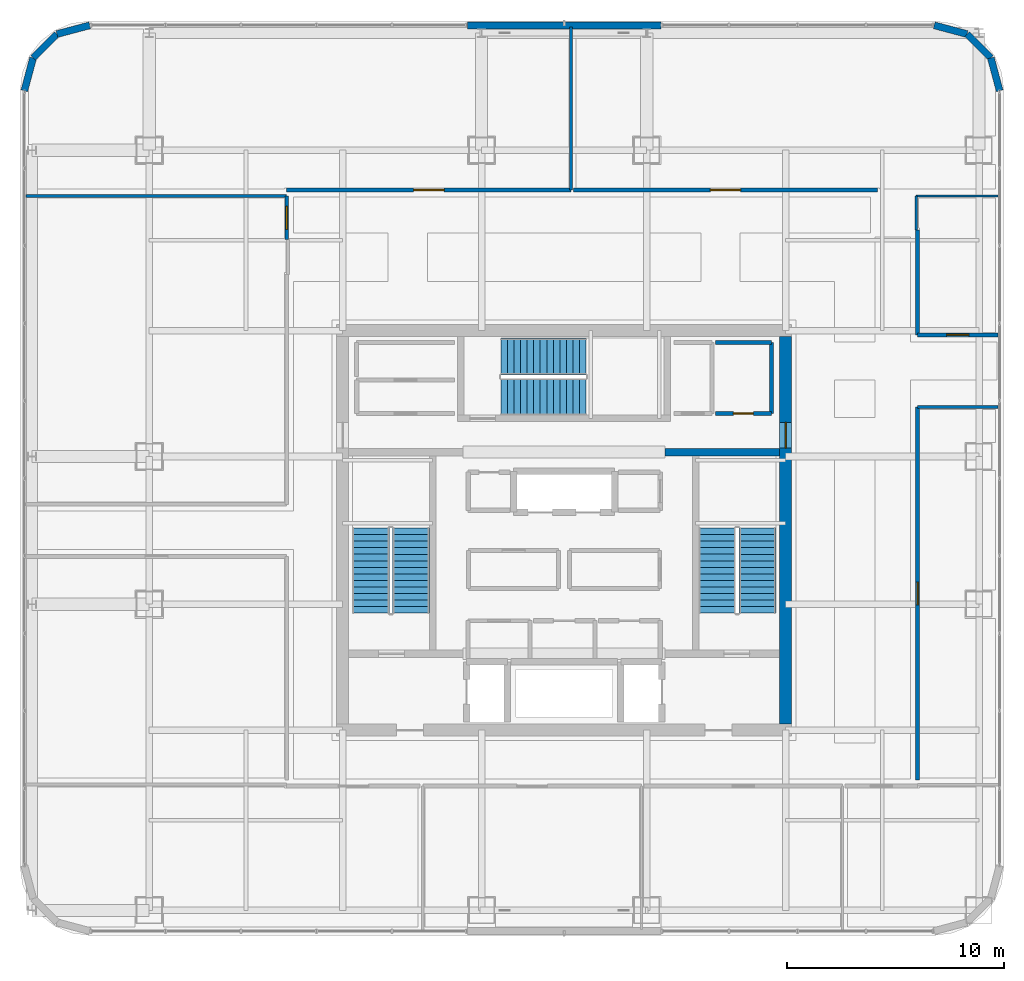
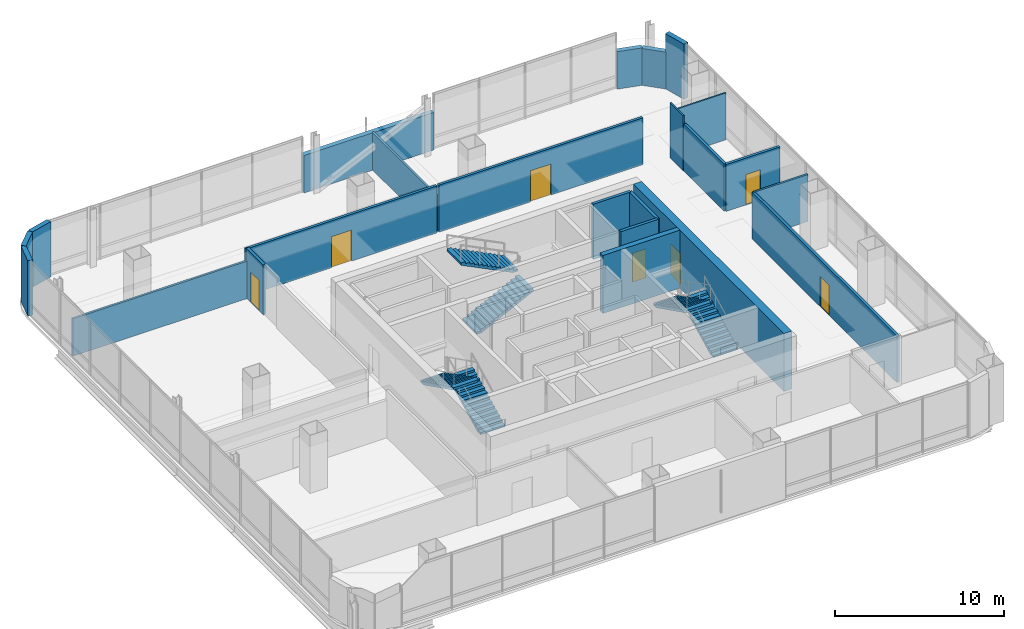
# One storey, part 34 of 43: 23 walls, 7 doors, 6 stair flights, 7 openings, 3 elements without a shape of their own.
"""IFC4 building model written with IfcOpenShell, lengths in metres."""

from ifc_helpers import new_model, si_unit, direction, frame, frame_2d, origin, place, context, subcontext, project, spatial, polyline, rectangle, outline, extrude, material, layer, layer_set, type_object, element, fill, aggregate, save


model = new_model("IFC4")

# Units and contexts
model_context = context("Model", 3, precision=1e-05, world=origin(), true_north=direction((0.0, 1.0)))
body_context = subcontext(model_context, "Body", "Model", "MODEL_VIEW")
ifc_project = project(units=[si_unit("LENGTHUNIT", "METRE"), si_unit("AREAUNIT", "SQUARE_METRE"), si_unit("VOLUMEUNIT", "CUBIC_METRE"), si_unit("PLANEANGLEUNIT", "RADIAN"), si_unit("MASSUNIT", "GRAM", prefix="KILO")], contexts=[model_context])

# Site, building, storey
site_placement = place(None, origin())
site = spatial("IfcSite", under=ifc_project, at=site_placement, CompositionType="ELEMENT")
building_placement = place(site_placement, origin())
building = spatial("IfcBuilding", under=site, at=building_placement, Name="Punatoya Terracotta Tower", CompositionType="ELEMENT")
storey_placement = place(building_placement, frame((0.0, 0.0, 300.60009765625)))
storey = spatial("IfcBuildingStorey", under=building, at=storey_placement, Name="L71", CompositionType="ELEMENT", Elevation=300.60009765625)

# Wall, opening, door
ifc_material_1 = material(Name="Concrete C50/60", Category="concrete")
ifc_layer_1 = layer(ifc_material_1, 0.550048828125)
ifc_layer_set_1 = layer_set([ifc_layer_1], Name="Concrete C50/60")
wall_type_1 = type_object("IfcWallType", Name="WL-COR-550", PredefinedType="SHEAR", material=ifc_layer_set_1)
wall_1_placement = place(storey_placement, frame((10.199951171875, 8.925048828125, 0.0), z_axis=(0.0, 0.0, 1.0), x_axis=(0.0, -1.0, 0.0)))
wall_1 = element("IfcWall", 1, at=wall_1_placement, inside=storey, type_object=wall_type_1, Name="L71 Core Shear Wall E", PredefinedType="SHEAR", context=body_context, shape_type="SweptSolid", body=[
    extrude(rectangle(XDim=17.85009765625, YDim=0.550048828125, at=frame_2d((8.925048828125, 0.0))), origin(), (0.0, 0.0, 1.0), 4.199951171875),
])
opening_1_placement = place(wall_1_placement, frame((3.955078125, 0.0, 0.0)))
opening_1 = element("IfcOpeningElement", 2, at=opening_1_placement, cuts=wall_1, Name="Opening SD-01", PredefinedType="OPENING", context=body_context, shape_type="SweptSolid", body=[
    extrude(rectangle(XDim=1.179931640625, YDim=2.199951171875, at=frame_2d((0.58984375, 1.10009765625))), frame((0.0, 0.284912109375, 0.0), z_axis=(0.0, -1.0, 0.0), x_axis=(1.0, 0.0, 0.0)), (0.0, 0.0, 1.0), 0.570068359375),
])
ifc_material_2 = material(Name="Galvanised Steel Pressurized Stair Fire Door", Category="steel")
door_type_1 = type_object("IfcDoorType", Name="DR-STR-1180", OperationType="NOTDEFINED", PredefinedType="DOOR", material=ifc_material_2)
door_1_placement = place(opening_1_placement, origin())
door_1 = element("IfcDoor", 3, at=door_1_placement, inside=storey, type_object=door_type_1, Name="L71 Central Lift Lobby East Fire Door", OperationType="SINGLE_SWING_RIGHT", OverallHeight=2.199951171875, OverallWidth=1.179931640625, PredefinedType="DOOR", context=body_context, shape_type="SweptSolid", body=[
    extrude(rectangle(XDim=1.179931640625, YDim=2.199951171875, at=frame_2d((0.58984375, 1.10009765625))), frame((0.0, 0.02490234375, 0.0), z_axis=(0.0, -1.0, 0.0), x_axis=(1.0, 0.0, 0.0)), (0.0, 0.0, 1.0), 0.050048828125),
])
fill(opening_1, door_1)

ifc_material_3 = material(Name="Gypsum Fireboard + Steel Stud", Category="steel")
ifc_layer_2 = layer(ifc_material_3, 0.179931640625)
ifc_layer_set_2 = layer_set([ifc_layer_2], Name="Gypsum Fireboard + Steel Stud")
wall_type_2 = type_object("IfcWallType", Name="WL-CORR-180", PredefinedType="PARTITIONING", material=ifc_layer_set_2)
wall_2_placement = place(storey_placement, frame((16.27001953125, -11.489990234375, 0.0), z_axis=(0.0, 0.0, 1.0), x_axis=(0.0, 1.0, 0.0)))
wall_2 = element("IfcWall", 4, at=wall_2_placement, inside=storey, type_object=wall_type_2, Name="L71 Open-Plan Delegate Reception Lounge Partition 45", PredefinedType="PARTITIONING", context=body_context, shape_type="SweptSolid", body=[
    extrude(rectangle(XDim=17.159912109375, YDim=0.179931640625, at=frame_2d((8.580078125, 0.0))), origin(), (0.0, 0.0, 1.0), 3.393798828125),
])
opening_2_placement = place(wall_2_placement, frame((8.054931640625, 0.0, 0.0)))
opening_2 = element("IfcOpeningElement", 5, at=opening_2_placement, cuts=wall_2, Name="Opening OD-01", PredefinedType="OPENING", context=body_context, shape_type="SweptSolid", body=[
    extrude(rectangle(XDim=1.050048828125, YDim=2.199951171875, at=frame_2d((0.52490234375, 1.10009765625))), frame((0.0, 0.099853515625, 0.0), z_axis=(0.0, -1.0, 0.0), x_axis=(1.0, 0.0, 0.0)), (0.0, 0.0, 1.0), 0.199951171875),
])
ifc_material_4 = material(Name="Bengal Teak Solid-Core Leaf")
door_type_2 = type_object("IfcDoorType", Name="DR-OFF-1050", OperationType="NOTDEFINED", PredefinedType="DOOR", material=ifc_material_4)
door_2_placement = place(opening_2_placement, origin())
door_2 = element("IfcDoor", 6, at=door_2_placement, inside=storey, type_object=door_type_2, Name="L71 Open-Plan Delegate Reception Lounge Door", OperationType="SINGLE_SWING_LEFT", OverallHeight=2.199951171875, OverallWidth=1.050048828125, PredefinedType="DOOR", context=body_context, shape_type="SweptSolid", body=[
    extrude(rectangle(XDim=1.050048828125, YDim=2.199951171875, at=frame_2d((0.52490234375, 1.10009765625))), frame((0.0, 0.02490234375, 0.0), z_axis=(0.0, -1.0, 0.0), x_axis=(1.0, 0.0, 0.0)), (0.0, 0.0, 1.0), 0.050048828125),
])
fill(opening_2, door_2)

wall_3_placement = place(storey_placement, frame((-12.77001953125, 15.389892578125, 0.0), z_axis=(0.0, 0.0, 1.0), x_axis=(0.0, -1.0, 0.0)))
wall_3 = element("IfcWall", 7, at=wall_3_placement, inside=storey, type_object=wall_type_2, Name="L71 Wellness Focus Room Partition 47", PredefinedType="PARTITIONING", context=body_context, shape_type="SweptSolid", body=[
    extrude(rectangle(XDim=2.010009765625, YDim=0.179931640625, at=frame_2d((1.0048828125, 0.0))), origin(), (0.0, 0.0, 1.0), 3.6337890625),
])
opening_3_placement = place(wall_3_placement, frame((0.47998046875, 0.0, 0.0)))
opening_3 = element("IfcOpeningElement", 8, at=opening_3_placement, cuts=wall_3, Name="Opening OD-01", PredefinedType="OPENING", context=body_context, shape_type="SweptSolid", body=[
    extrude(rectangle(XDim=1.050048828125, YDim=2.199951171875, at=frame_2d((0.52490234375, 1.10009765625))), frame((0.0, 0.099853515625, 0.0), z_axis=(0.0, -1.0, 0.0), x_axis=(1.0, 0.0, 0.0)), (0.0, 0.0, 1.0), 0.199951171875),
])
door_3_placement = place(opening_3_placement, origin())
door_3 = element("IfcDoor", 9, at=door_3_placement, inside=storey, type_object=door_type_2, Name="L71 Wellness Focus Room Door", OperationType="SINGLE_SWING_RIGHT", OverallHeight=2.199951171875, OverallWidth=1.050048828125, PredefinedType="DOOR", context=body_context, shape_type="SweptSolid", body=[
    extrude(rectangle(XDim=1.050048828125, YDim=2.199951171875, at=frame_2d((0.52490234375, 1.10009765625))), frame((0.0, 0.02490234375, 0.0), z_axis=(0.0, -1.0, 0.0), x_axis=(1.0, 0.0, 0.0)), (0.0, 0.0, 1.0), 0.050048828125),
])
fill(opening_3, door_3)

wall_4_placement = place(storey_placement, frame((19.969970703125, 9.0, 0.0), z_axis=(0.0, 0.0, 1.0), x_axis=(-1.0, 0.0, 0.0)))
wall_4 = element("IfcWall", 10, at=wall_4_placement, inside=storey, type_object=wall_type_2, Name="L71 Case-Study Classroom Partition 51", PredefinedType="PARTITIONING", context=body_context, shape_type="SweptSolid", body=[
    extrude(rectangle(XDim=3.699951171875, YDim=0.179931640625, at=frame_2d((1.85009765625, 0.0))), origin(), (0.0, 0.0, 1.0), 3.393798828125),
])
opening_4_placement = place(wall_4_placement, frame((1.340087890625, 0.0, 0.0)))
opening_4 = element("IfcOpeningElement", 11, at=opening_4_placement, cuts=wall_4, Name="Opening MD-01", PredefinedType="OPENING", context=body_context, shape_type="SweptSolid", body=[
    extrude(rectangle(XDim=1.02001953125, YDim=2.199951171875, at=frame_2d((0.510009765625, 1.10009765625))), frame((0.0, 0.099853515625, 0.0), z_axis=(0.0, -1.0, 0.0), x_axis=(1.0, 0.0, 0.0)), (0.0, 0.0, 1.0), 0.199951171875),
])
ifc_material_5 = material(Name="Aluminium + Acoustic Glass Leaf", Category="aluminium")
door_type_3 = type_object("IfcDoorType", Name="DR-MTG-1020", OperationType="NOTDEFINED", PredefinedType="DOOR", material=ifc_material_5)
door_4_placement = place(opening_4_placement, origin())
door_4 = element("IfcDoor", 12, at=door_4_placement, inside=storey, type_object=door_type_3, Name="L71 Case-Study Classroom Door", OperationType="SINGLE_SWING_LEFT", OverallHeight=2.199951171875, OverallWidth=1.02001953125, PredefinedType="DOOR", context=body_context, shape_type="SweptSolid", body=[
    extrude(rectangle(XDim=1.02001953125, YDim=2.199951171875, at=frame_2d((0.510009765625, 1.10009765625))), frame((0.0, 0.02490234375, 0.0), z_axis=(0.0, -1.0, 0.0), x_axis=(1.0, 0.0, 0.0)), (0.0, 0.0, 1.0), 0.050048828125),
])
fill(opening_4, door_4)

# Wall
wall_5_placement = place(storey_placement, frame((16.27001953125, 9.0, 0.0), z_axis=(0.0, 0.0, 1.0), x_axis=(0.0, 1.0, 0.0)))
element("IfcWall", 13, at=wall_5_placement, inside=storey, type_object=wall_type_2, Name="L71 Case-Study Classroom Partition 52", PredefinedType="PARTITIONING", context=body_context, shape_type="SweptSolid", body=[
    extrude(rectangle(XDim=4.820068359375, YDim=0.179931640625, at=frame_2d((2.41015625, 0.0))), origin(), (0.0, 0.0, 1.0), 3.393798828125),
])

# Wall, opening, door
wall_6_placement = place(storey_placement, frame((0.318115234375, 15.669921875, 0.0), z_axis=(0.0, 0.0, 1.0), x_axis=(-1.0, 0.0, 0.0)))
wall_6 = element("IfcWall", 14, at=wall_6_placement, inside=storey, type_object=wall_type_2, Name="L71 Symposium Colloquium Room Partition 56", PredefinedType="PARTITIONING", context=body_context, shape_type="SweptSolid", body=[
    extrude(rectangle(XDim=13.088134765625, YDim=0.179931640625, at=frame_2d((6.5439453125, 0.0))), origin(), (0.0, 0.0, 1.0), 3.393798828125),
])
opening_5_placement = place(wall_6_placement, frame((5.843994140625, 0.0, 0.0)))
opening_5 = element("IfcOpeningElement", 15, at=opening_5_placement, cuts=wall_6, Name="Opening BD-01", PredefinedType="OPENING", context=body_context, shape_type="SweptSolid", body=[
    extrude(rectangle(XDim=1.39990234375, YDim=2.25, at=frame_2d((0.699951171875, 1.125))), frame((0.0, 0.099853515625, 0.0), z_axis=(0.0, -1.0, 0.0), x_axis=(1.0, 0.0, 0.0)), (0.0, 0.0, 1.0), 0.199951171875),
])
ifc_material_6 = material(Name="Bengal Teak Acoustic Leaf")
door_type_4 = type_object("IfcDoorType", Name="DR-BRD-1400", OperationType="NOTDEFINED", PredefinedType="DOOR", material=ifc_material_6)
door_5_placement = place(opening_5_placement, origin())
door_5 = element("IfcDoor", 16, at=door_5_placement, inside=storey, type_object=door_type_4, Name="L71 Symposium Colloquium Room Door", OperationType="SINGLE_SWING_RIGHT", OverallHeight=2.25, OverallWidth=1.39990234375, PredefinedType="DOOR", context=body_context, shape_type="SweptSolid", body=[
    extrude(rectangle(XDim=1.39990234375, YDim=2.25, at=frame_2d((0.699951171875, 1.125))), frame((0.0, 0.02490234375, 0.0), z_axis=(0.0, -1.0, 0.0), x_axis=(1.0, 0.0, 0.0)), (0.0, 0.0, 1.0), 0.050048828125),
])
fill(opening_5, door_5)

wall_7_placement = place(storey_placement, frame((14.419921875, 15.669921875, 0.0), z_axis=(0.0, 0.0, 1.0), x_axis=(-1.0, 0.0, 0.0)))
wall_7 = element("IfcWall", 17, at=wall_7_placement, inside=storey, type_object=wall_type_2, Name="L71 Open-Plan Roundtable Conference Room Partition 57", PredefinedType="PARTITIONING", context=body_context, shape_type="SweptSolid", body=[
    extrude(rectangle(XDim=13.98193359375, YDim=0.179931640625, at=frame_2d((6.990966796875, 0.0))), origin(), (0.0, 0.0, 1.0), 3.393798828125),
])
opening_6_placement = place(wall_7_placement, frame((6.291015625, 0.0, 0.0)))
opening_6 = element("IfcOpeningElement", 18, at=opening_6_placement, cuts=wall_7, Name="Opening BD-01", PredefinedType="OPENING", context=body_context, shape_type="SweptSolid", body=[
    extrude(rectangle(XDim=1.39990234375, YDim=2.25, at=frame_2d((0.699951171875, 1.125))), frame((0.0, 0.099853515625, 0.0), z_axis=(0.0, -1.0, 0.0), x_axis=(1.0, 0.0, 0.0)), (0.0, 0.0, 1.0), 0.199951171875),
])
door_6_placement = place(opening_6_placement, origin())
door_6 = element("IfcDoor", 19, at=door_6_placement, inside=storey, type_object=door_type_4, Name="L71 Open-Plan Roundtable Conference Room Door", OperationType="SINGLE_SWING_LEFT", OverallHeight=2.25, OverallWidth=1.39990234375, PredefinedType="DOOR", context=body_context, shape_type="SweptSolid", body=[
    extrude(rectangle(XDim=1.39990234375, YDim=2.25, at=frame_2d((0.699951171875, 1.125))), frame((0.0, 0.02490234375, 0.0), z_axis=(0.0, -1.0, 0.0), x_axis=(1.0, 0.0, 0.0)), (0.0, 0.0, 1.0), 0.050048828125),
])
fill(opening_6, door_6)

# Walls
ifc_material_7 = material(Name="Precast concrete C40/50", Category="concrete")
ifc_layer_3 = layer(ifc_material_7, 0.320068359375)
ifc_layer_set_3 = layer_set([ifc_layer_3], Name="Precast concrete C40/50")
wall_type_3 = type_object("IfcWallType", Name="WL-EXT-320", PredefinedType="SOLIDWALL", material=ifc_layer_set_3)
wall_8_placement = place(storey_placement, frame((20.050048828125, 20.23681640625, 0.0), z_axis=(0.0, 0.0, 1.0), x_axis=(-0.257847112249, 0.966185730957, 0.0)))
element("IfcWall", 20, at=wall_8_placement, inside=storey, type_object=wall_type_3, Name="L71 Rounded Terracotta Corner Pier 06", PredefinedType="SOLIDWALL", context=body_context, shape_type="SweptSolid", body=[
    extrude(rectangle(XDim=1.565185546875, YDim=0.320068359375, at=frame_2d((0.78271484375, 0.0))), origin(), (0.0, 0.0, 1.0), 4.0),
])
wall_9_placement = place(storey_placement, frame((19.646484375, 21.7490234375, 0.0), z_axis=(0.0, 0.0, 1.0), x_axis=(-0.707028130747, 0.707185422879, 0.0)))
element("IfcWall", 21, at=wall_9_placement, inside=storey, type_object=wall_type_3, Name="L71 Rounded Terracotta Corner Pier 07", PredefinedType="SOLIDWALL", context=body_context, shape_type="SweptSolid", body=[
    extrude(rectangle(XDim=1.55224609375, YDim=0.320068359375, at=frame_2d((0.776123046875, 0.0))), origin(), (0.0, 0.0, 1.0), 2.673828125),
])
wall_10_placement = place(storey_placement, frame((18.549072265625, 22.8466796875, 0.0), z_axis=(0.0, 0.0, 1.0), x_axis=(-0.966224582397, 0.257701486942, 0.0)))
element("IfcWall", 22, at=wall_10_placement, inside=storey, type_object=wall_type_3, Name="L71 Rounded Terracotta Corner Pier 08", PredefinedType="SOLIDWALL", context=body_context, shape_type="SweptSolid", body=[
    extrude(rectangle(XDim=1.565185546875, YDim=0.320068359375, at=frame_2d((0.78271484375, 0.0))), origin(), (0.0, 0.0, 1.0), 2.7138671875),
])
wall_11_placement = place(storey_placement, frame((4.449951171875, 23.25, 0.0), z_axis=(0.0, 0.0, 1.0), x_axis=(-1.0, 0.0, 0.0)))
element("IfcWall", 23, at=wall_11_placement, inside=storey, type_object=wall_type_3, Name="L71 Terracotta Braced Facade Wall N1", PredefinedType="SOLIDWALL", context=body_context, shape_type="SweptSolid", body=[
    extrude(rectangle(XDim=8.89990234375, YDim=0.320068359375, at=frame_2d((4.449951171875, 0.0))), origin(), (0.0, 0.0, 1.0), 2.7138671875),
])
wall_12_placement = place(storey_placement, frame((-21.8369140625, 23.25, 0.0), z_axis=(0.0, 0.0, 1.0), x_axis=(-0.966224582397, -0.257701486942, 0.0)))
element("IfcWall", 24, at=wall_12_placement, inside=storey, type_object=wall_type_3, Name="L71 Rounded Terracotta Corner Pier 10", PredefinedType="SOLIDWALL", context=body_context, shape_type="SweptSolid", body=[
    extrude(rectangle(XDim=1.565185546875, YDim=0.320068359375, at=frame_2d((0.78271484375, 0.0))), origin(), (0.0, 0.0, 1.0), 4.0),
])
wall_13_placement = place(storey_placement, frame((-23.34912109375, 22.8466796875, 0.0), z_axis=(0.0, 0.0, 1.0), x_axis=(-0.707028130747, -0.707185422879, 0.0)))
element("IfcWall", 25, at=wall_13_placement, inside=storey, type_object=wall_type_3, Name="L71 Rounded Terracotta Corner Pier 11", PredefinedType="SOLIDWALL", context=body_context, shape_type="SweptSolid", body=[
    extrude(rectangle(XDim=1.55224609375, YDim=0.320068359375, at=frame_2d((0.776123046875, 0.0))), origin(), (0.0, 0.0, 1.0), 4.0),
])
wall_14_placement = place(storey_placement, frame((-24.446533203125, 21.7490234375, 0.0), z_axis=(0.0, 0.0, 1.0), x_axis=(-0.257847112249, -0.966185730957, 0.0)))
element("IfcWall", 26, at=wall_14_placement, inside=storey, type_object=wall_type_3, Name="L71 Rounded Terracotta Corner Pier 12", PredefinedType="SOLIDWALL", context=body_context, shape_type="SweptSolid", body=[
    extrude(rectangle(XDim=1.565185546875, YDim=0.320068359375, at=frame_2d((0.78271484375, 0.0))), origin(), (0.0, 0.0, 1.0), 4.0),
])
ifc_material_8 = material(Name="Aluminium Framed Acoustic Glass Partition", Category="aluminium")
ifc_layer_4 = layer(ifc_material_8, 0.10009765625)
ifc_layer_set_4 = layer_set([ifc_layer_4], Name="Aluminium Framed Acoustic Glass Partition")
wall_type_4 = type_object("IfcWallType", Name="WL-GLZ-100", PredefinedType="PARTITIONING", material=ifc_layer_set_4)
wall_15_placement = place(storey_placement, frame((16.2099609375, 13.820068359375, 0.0), z_axis=(0.0, 0.0, 1.0), x_axis=(0.0, 1.0, 0.0)))
element("IfcWall", 27, at=wall_15_placement, inside=storey, type_object=wall_type_4, Name="L71 Case-Study Classroom Partition 53", PredefinedType="PARTITIONING", context=body_context, shape_type="SweptSolid", body=[
    extrude(rectangle(XDim=1.56982421875, YDim=0.10009765625, at=frame_2d((0.784912109375, 0.0))), origin(), (0.0, 0.0, 1.0), 4.0),
])
wall_16_placement = place(storey_placement, frame((16.2099609375, 15.389892578125, 0.0), z_axis=(0.0, 0.0, 1.0), x_axis=(1.0, 0.0, 0.0)))
element("IfcWall", 28, at=wall_16_placement, inside=storey, type_object=wall_type_4, Name="L71 Case-Study Classroom Partition 54", PredefinedType="PARTITIONING", context=body_context, shape_type="SweptSolid", body=[
    extrude(rectangle(XDim=3.760009765625, YDim=0.10009765625, at=frame_2d((1.8798828125, 0.0))), origin(), (0.0, 0.0, 1.0), 3.393798828125),
])
ifc_material_9 = material(Name="Concrete C40/50", Category="concrete")
ifc_layer_5 = layer(ifc_material_9, 0.199951171875)
ifc_layer_set_5 = layer_set([ifc_layer_5], Name="Concrete C40/50")
wall_type_5 = type_object("IfcWallType", Name="WL-INT-200", PredefinedType="SOLIDWALL", material=ifc_layer_set_5)
wall_17_placement = place(storey_placement, frame((9.550048828125, 5.3798828125, 0.0), z_axis=(0.0, 0.0, 1.0), x_axis=(0.0, 1.0, 0.0)))
element("IfcWall", 29, at=wall_17_placement, inside=storey, type_object=wall_type_5, Name="L71 East Core Archive Partition 30", PredefinedType="SOLIDWALL", context=body_context, shape_type="SweptSolid", body=[
    extrude(rectangle(XDim=3.27001953125, YDim=0.199951171875, at=frame_2d((1.635009765625, 0.0))), origin(), (0.0, 0.0, 1.0), 4.0),
])
wall_18_placement = place(storey_placement, frame((9.550048828125, 8.64990234375, 0.0), z_axis=(0.0, 0.0, 1.0), x_axis=(-1.0, 0.0, 0.0)))
element("IfcWall", 30, at=wall_18_placement, inside=storey, type_object=wall_type_5, Name="L71 East Core Archive Partition 31", PredefinedType="SOLIDWALL", context=body_context, shape_type="SweptSolid", body=[
    extrude(rectangle(XDim=2.590087890625, YDim=0.199951171875, at=frame_2d((1.294921875, 0.0))), origin(), (0.0, 0.0, 1.0), 4.0),
])

# Wall, opening, door
wall_19_placement = place(storey_placement, frame((6.9599609375, 5.3798828125, 0.0), z_axis=(0.0, 0.0, 1.0), x_axis=(1.0, 0.0, 0.0)))
wall_19 = element("IfcWall", 31, at=wall_19_placement, inside=storey, type_object=wall_type_5, Name="L71 East Core Archive Partition 32", PredefinedType="SOLIDWALL", context=body_context, shape_type="SweptSolid", body=[
    extrude(rectangle(XDim=2.590087890625, YDim=0.199951171875, at=frame_2d((1.294921875, 0.0))), origin(), (0.0, 0.0, 1.0), 4.0),
])
opening_7_placement = place(wall_19_placement, frame((0.8349609375, 0.0, 0.0)))
opening_7 = element("IfcOpeningElement", 32, at=opening_7_placement, cuts=wall_19, Name="Opening FD-R1", PredefinedType="OPENING", context=body_context, shape_type="SweptSolid", body=[
    extrude(rectangle(XDim=0.919921875, YDim=2.10009765625, at=frame_2d((0.4599609375, 1.050048828125))), frame((0.0, 0.10986328125, 0.0), z_axis=(0.0, -1.0, 0.0), x_axis=(1.0, 0.0, 0.0)), (0.0, 0.0, 1.0), 0.219970703125),
])
ifc_material_10 = material(Name="Galvanised Steel Riser Fire Access Door", Category="steel")
door_type_5 = type_object("IfcDoorType", Name="DR-RSR-920", OperationType="NOTDEFINED", PredefinedType="DOOR", material=ifc_material_10)
door_7_placement = place(opening_7_placement, origin())
door_7 = element("IfcDoor", 33, at=door_7_placement, inside=storey, type_object=door_type_5, Name="L71 East Core Archive Fire Door", OperationType="SINGLE_SWING_LEFT", OverallHeight=2.10009765625, OverallWidth=0.919921875, PredefinedType="DOOR", context=body_context, shape_type="SweptSolid", body=[
    extrude(rectangle(XDim=0.919921875, YDim=2.10009765625, at=frame_2d((0.4599609375, 1.050048828125))), frame((0.0, 0.02490234375, 0.0), z_axis=(0.0, -1.0, 0.0), x_axis=(1.0, 0.0, 0.0)), (0.0, 0.0, 1.0), 0.050048828125),
])
fill(opening_7, door_7)

# Walls
ifc_material_11 = material(Name="Acoustic Gypsum + Steel Stud", Category="steel")
ifc_layer_6 = layer(ifc_material_11, 0.139892578125)
ifc_layer_set_6 = layer_set([ifc_layer_6], Name="Acoustic Gypsum + Steel Stud")
wall_type_6 = type_object("IfcWallType", Name="WL-OFF-140", PredefinedType="PARTITIONING", material=ifc_layer_set_6)
wall_20_placement = place(storey_placement, frame((16.27001953125, 5.669921875, 0.0), z_axis=(0.0, 0.0, 1.0), x_axis=(1.0, 0.0, 0.0)))
element("IfcWall", 34, at=wall_20_placement, inside=storey, type_object=wall_type_6, Name="L71 Open-Plan Delegate Reception Lounge Partition 44", PredefinedType="PARTITIONING", context=body_context, shape_type="SweptSolid", body=[
    extrude(rectangle(XDim=3.699951171875, YDim=0.139892578125, at=frame_2d((1.85009765625, 0.0))), origin(), (0.0, 0.0, 1.0), 3.393798828125),
])
wall_21_placement = place(storey_placement, frame((-24.77001953125, 15.389892578125, 0.0), z_axis=(0.0, 0.0, 1.0), x_axis=(1.0, 0.0, 0.0)))
element("IfcWall", 35, at=wall_21_placement, inside=storey, type_object=wall_type_6, Name="L71 Wellness Focus Room Partition 46", PredefinedType="PARTITIONING", context=body_context, shape_type="SweptSolid", body=[
    extrude(rectangle(XDim=12.0, YDim=0.139892578125, at=frame_2d((6.0, 0.0))), origin(), (0.0, 0.0, 1.0), 2.7138671875),
])
wall_22_placement = place(storey_placement, frame((0.318115234375, 23.169921875, 0.0), z_axis=(0.0, 0.0, 1.0), x_axis=(0.0, -1.0, 0.0)))
element("IfcWall", 36, at=wall_22_placement, inside=storey, type_object=wall_type_6, Name="L71 Symposium Colloquium Room Partition 55", PredefinedType="PARTITIONING", context=body_context, shape_type="SweptSolid", body=[
    extrude(rectangle(XDim=7.5, YDim=0.139892578125, at=frame_2d((3.75, 0.0))), origin(), (0.0, 0.0, 1.0), 2.7138671875),
])
ifc_layer_7 = layer(ifc_material_1, 0.35009765625)
ifc_layer_set_7 = layer_set([ifc_layer_7], Name="Concrete C50/60")
wall_type_7 = type_object("IfcWallType", Name="WL-SHF-350", PredefinedType="SOLIDWALL", material=ifc_layer_set_7)
wall_23_placement = place(storey_placement, frame((4.64990234375, 3.60009765625, 0.0), z_axis=(0.0, 0.0, 1.0), x_axis=(1.0, 0.0, 0.0)))
element("IfcWall", 37, at=wall_23_placement, inside=storey, type_object=wall_type_7, Name="L71 Core Web Wall CNW-R", PredefinedType="SOLIDWALL", context=body_context, shape_type="SweptSolid", body=[
    extrude(rectangle(XDim=5.275146484375, YDim=0.35009765625, at=frame_2d((2.6376953125, 0.0))), origin(), (0.0, 0.0, 1.0), 4.199951171875),
])

# Stair, stair flights
stair_type_1 = type_object("IfcStairType", Name="STR-CORE-1550", PredefinedType="HALF_TURN_STAIR", material=ifc_material_9)
stair_1_placement = place(storey_placement, origin())
stair_1 = element("IfcStair", 38, at=stair_1_placement, inside=storey, type_object=stair_type_1, Name="L71 Protected Core Exit Stair ST-1", PredefinedType="HALF_TURN_STAIR")
stair_flight_type_1 = type_object("IfcStairFlightType", Name="SFL-CORE-1550", PredefinedType="STRAIGHT", material=ifc_material_9)
stair_flight_1_placement = place(storey_placement, frame((-7.050048828125, -3.800048828125, 0.0), z_axis=(0.0, 0.0, 1.0), x_axis=(0.0, 1.0, 0.0)))
stair_flight_1 = element("IfcStairFlight", 39, at=stair_flight_1_placement, type_object=stair_flight_type_1, Name="ST-1 flight 1", NumberOfRisers=14, NumberOfTreads=13, PredefinedType="STRAIGHT", RiserHeight=0.15, TreadLength=0.3, context=body_context, shape_type="SweptSolid", body=[
    extrude(outline(polyline([(0.0, 0.0), (0.0, 0.14990234375), (0.300048828125, 0.14990234375), (0.300048828125, 0.300048828125), (0.60009765625, 0.300048828125), (0.60009765625, 0.449951171875), (0.89990234375, 0.449951171875), (0.89990234375, 0.60009765625), (1.199951171875, 0.60009765625), (1.199951171875, 0.75), (1.5, 0.75), (1.5, 0.89990234375), (1.800048828125, 0.89990234375), (1.800048828125, 1.050048828125), (2.10009765625, 1.050048828125), (2.10009765625, 1.199951171875), (2.39990234375, 1.199951171875), (2.39990234375, 1.35009765625), (2.699951171875, 1.35009765625), (2.699951171875, 1.5), (3.0, 1.5), (3.0, 1.64990234375), (3.300048828125, 1.64990234375), (3.300048828125, 1.800048828125), (3.60009765625, 1.800048828125), (3.60009765625, 1.949951171875), (3.89990234375, 1.949951171875), (3.89990234375, 2.10009765625), (3.89990234375, 1.782470703125), (0.335205078125, 0.0), (0.0, 0.0)])), frame((0.0, 0.85009765625, 0.0), z_axis=(0.0, -1.0, 0.0), x_axis=(1.0, 0.0, 0.0)), (0.0, 0.0, 1.0), 1.699951171875),
])
stair_flight_2_placement = place(storey_placement, frame((-8.89990234375, 0.10009765625, 2.099853515625), z_axis=(0.0, 0.0, 1.0), x_axis=(0.0, -1.0, 0.0)))
stair_flight_2 = element("IfcStairFlight", 40, at=stair_flight_2_placement, type_object=stair_flight_type_1, Name="ST-1 flight 2", NumberOfRisers=14, NumberOfTreads=13, PredefinedType="STRAIGHT", RiserHeight=0.15, TreadLength=0.3, context=body_context, shape_type="SweptSolid", body=[
    extrude(outline(polyline([(0.0, 0.0), (0.0, 0.14990234375), (0.300048828125, 0.14990234375), (0.300048828125, 0.300048828125), (0.60009765625, 0.300048828125), (0.60009765625, 0.449951171875), (0.89990234375, 0.449951171875), (0.89990234375, 0.60009765625), (1.199951171875, 0.60009765625), (1.199951171875, 0.75), (1.5, 0.75), (1.5, 0.89990234375), (1.800048828125, 0.89990234375), (1.800048828125, 1.050048828125), (2.10009765625, 1.050048828125), (2.10009765625, 1.199951171875), (2.39990234375, 1.199951171875), (2.39990234375, 1.35009765625), (2.699951171875, 1.35009765625), (2.699951171875, 1.5), (3.0, 1.5), (3.0, 1.64990234375), (3.300048828125, 1.64990234375), (3.300048828125, 1.800048828125), (3.60009765625, 1.800048828125), (3.60009765625, 1.949951171875), (3.89990234375, 1.949951171875), (3.89990234375, 2.10009765625), (3.89990234375, 1.782470703125), (0.335205078125, 0.0), (0.0, 0.0)])), frame((0.0, 0.85009765625, 0.0), z_axis=(0.0, -1.0, 0.0), x_axis=(1.0, 0.0, 0.0)), (0.0, 0.0, 1.0), 1.699951171875),
])
aggregate(stair_1, [stair_flight_1, stair_flight_2])

stair_type_2 = type_object("IfcStairType", Name="STR-LOB-1650", PredefinedType="HALF_TURN_STAIR", material=ifc_material_9)
stair_2_placement = place(storey_placement, origin())
stair_2 = element("IfcStair", 41, at=stair_2_placement, inside=storey, type_object=stair_type_2, Name="L71 Protected Core Exit Stair ST-2", PredefinedType="HALF_TURN_STAIR")
stair_flight_type_2 = type_object("IfcStairFlightType", Name="SFL-LOB-1650", PredefinedType="STRAIGHT", material=ifc_material_9)
stair_flight_3_placement = place(storey_placement, frame((8.89990234375, -3.800048828125, 0.0), z_axis=(0.0, 0.0, 1.0), x_axis=(0.0, 1.0, 0.0)))
stair_flight_3 = element("IfcStairFlight", 42, at=stair_flight_3_placement, type_object=stair_flight_type_2, Name="ST-2 flight 1", NumberOfRisers=14, NumberOfTreads=13, PredefinedType="STRAIGHT", RiserHeight=0.15, TreadLength=0.3, context=body_context, shape_type="SweptSolid", body=[
    extrude(outline(polyline([(0.0, 0.0), (0.0, 0.14990234375), (0.300048828125, 0.14990234375), (0.300048828125, 0.300048828125), (0.60009765625, 0.300048828125), (0.60009765625, 0.449951171875), (0.89990234375, 0.449951171875), (0.89990234375, 0.60009765625), (1.199951171875, 0.60009765625), (1.199951171875, 0.75), (1.5, 0.75), (1.5, 0.89990234375), (1.800048828125, 0.89990234375), (1.800048828125, 1.050048828125), (2.10009765625, 1.050048828125), (2.10009765625, 1.199951171875), (2.39990234375, 1.199951171875), (2.39990234375, 1.35009765625), (2.699951171875, 1.35009765625), (2.699951171875, 1.5), (3.0, 1.5), (3.0, 1.64990234375), (3.300048828125, 1.64990234375), (3.300048828125, 1.800048828125), (3.60009765625, 1.800048828125), (3.60009765625, 1.949951171875), (3.89990234375, 1.949951171875), (3.89990234375, 2.10009765625), (3.89990234375, 1.782470703125), (0.335205078125, 0.0), (0.0, 0.0)])), frame((0.0, 0.85009765625, 0.0), z_axis=(0.0, -1.0, 0.0), x_axis=(1.0, 0.0, 0.0)), (0.0, 0.0, 1.0), 1.699951171875),
])
stair_flight_4_placement = place(storey_placement, frame((7.050048828125, 0.10009765625, 2.099853515625), z_axis=(0.0, 0.0, 1.0), x_axis=(0.0, -1.0, 0.0)))
stair_flight_4 = element("IfcStairFlight", 43, at=stair_flight_4_placement, type_object=stair_flight_type_2, Name="ST-2 flight 2", NumberOfRisers=14, NumberOfTreads=13, PredefinedType="STRAIGHT", RiserHeight=0.15, TreadLength=0.3, context=body_context, shape_type="SweptSolid", body=[
    extrude(outline(polyline([(0.0, 0.0), (0.0, 0.14990234375), (0.300048828125, 0.14990234375), (0.300048828125, 0.300048828125), (0.60009765625, 0.300048828125), (0.60009765625, 0.449951171875), (0.89990234375, 0.449951171875), (0.89990234375, 0.60009765625), (1.199951171875, 0.60009765625), (1.199951171875, 0.75), (1.5, 0.75), (1.5, 0.89990234375), (1.800048828125, 0.89990234375), (1.800048828125, 1.050048828125), (2.10009765625, 1.050048828125), (2.10009765625, 1.199951171875), (2.39990234375, 1.199951171875), (2.39990234375, 1.35009765625), (2.699951171875, 1.35009765625), (2.699951171875, 1.5), (3.0, 1.5), (3.0, 1.64990234375), (3.300048828125, 1.64990234375), (3.300048828125, 1.800048828125), (3.60009765625, 1.800048828125), (3.60009765625, 1.949951171875), (3.89990234375, 1.949951171875), (3.89990234375, 2.10009765625), (3.89990234375, 1.782470703125), (0.335205078125, 0.0), (0.0, 0.0)])), frame((0.0, 0.85009765625, 0.0), z_axis=(0.0, -1.0, 0.0), x_axis=(1.0, 0.0, 0.0)), (0.0, 0.0, 1.0), 1.699951171875),
])
aggregate(stair_2, [stair_flight_3, stair_flight_4])

stair_type_3 = type_object("IfcStairType", Name="STR-TER-1450", PredefinedType="HALF_TURN_STAIR", material=ifc_material_9)
stair_3_placement = place(storey_placement, origin())
stair_3 = element("IfcStair", 44, at=stair_3_placement, inside=storey, type_object=stair_type_3, Name="L71 Protected Core Exit Stair ST-3", PredefinedType="HALF_TURN_STAIR")
stair_flight_type_3 = type_object("IfcStairFlightType", Name="SFL-TER-1450", PredefinedType="STRAIGHT", material=ifc_material_9)
stair_flight_5_placement = place(storey_placement, frame((-2.89990234375, 6.14990234375, 0.0), z_axis=(0.0, 0.0, 1.0), x_axis=(1.0, 0.0, 0.0)))
stair_flight_5 = element("IfcStairFlight", 45, at=stair_flight_5_placement, type_object=stair_flight_type_3, Name="ST-3 flight 1", NumberOfRisers=14, NumberOfTreads=13, PredefinedType="STRAIGHT", RiserHeight=0.15, TreadLength=0.3, context=body_context, shape_type="SweptSolid", body=[
    extrude(outline(polyline([(0.0, 0.0), (0.0, 0.14990234375), (0.300048828125, 0.14990234375), (0.300048828125, 0.300048828125), (0.60009765625, 0.300048828125), (0.60009765625, 0.449951171875), (0.89990234375, 0.449951171875), (0.89990234375, 0.60009765625), (1.199951171875, 0.60009765625), (1.199951171875, 0.75), (1.5, 0.75), (1.5, 0.89990234375), (1.800048828125, 0.89990234375), (1.800048828125, 1.050048828125), (2.10009765625, 1.050048828125), (2.10009765625, 1.199951171875), (2.39990234375, 1.199951171875), (2.39990234375, 1.35009765625), (2.699951171875, 1.35009765625), (2.699951171875, 1.5), (3.0, 1.5), (3.0, 1.64990234375), (3.300048828125, 1.64990234375), (3.300048828125, 1.800048828125), (3.60009765625, 1.800048828125), (3.60009765625, 1.949951171875), (3.89990234375, 1.949951171875), (3.89990234375, 2.10009765625), (3.89990234375, 1.782470703125), (0.335205078125, 0.0), (0.0, 0.0)])), frame((0.0, 0.85009765625, 0.0), z_axis=(0.0, -1.0, 0.0), x_axis=(1.0, 0.0, 0.0)), (0.0, 0.0, 1.0), 1.699951171875),
])
stair_flight_6_placement = place(storey_placement, frame((1.0, 8.0, 2.099853515625), z_axis=(0.0, 0.0, 1.0), x_axis=(-1.0, 0.0, 0.0)))
stair_flight_6 = element("IfcStairFlight", 46, at=stair_flight_6_placement, type_object=stair_flight_type_3, Name="ST-3 flight 2", NumberOfRisers=14, NumberOfTreads=13, PredefinedType="STRAIGHT", RiserHeight=0.15, TreadLength=0.3, context=body_context, shape_type="SweptSolid", body=[
    extrude(outline(polyline([(0.0, 0.0), (0.0, 0.14990234375), (0.300048828125, 0.14990234375), (0.300048828125, 0.300048828125), (0.60009765625, 0.300048828125), (0.60009765625, 0.449951171875), (0.89990234375, 0.449951171875), (0.89990234375, 0.60009765625), (1.199951171875, 0.60009765625), (1.199951171875, 0.75), (1.5, 0.75), (1.5, 0.89990234375), (1.800048828125, 0.89990234375), (1.800048828125, 1.050048828125), (2.10009765625, 1.050048828125), (2.10009765625, 1.199951171875), (2.39990234375, 1.199951171875), (2.39990234375, 1.35009765625), (2.699951171875, 1.35009765625), (2.699951171875, 1.5), (3.0, 1.5), (3.0, 1.64990234375), (3.300048828125, 1.64990234375), (3.300048828125, 1.800048828125), (3.60009765625, 1.800048828125), (3.60009765625, 1.949951171875), (3.89990234375, 1.949951171875), (3.89990234375, 2.10009765625), (3.89990234375, 1.782470703125), (0.335205078125, 0.0), (0.0, 0.0)])), frame((0.0, 0.85009765625, 0.0), z_axis=(0.0, -1.0, 0.0), x_axis=(1.0, 0.0, 0.0)), (0.0, 0.0, 1.0), 1.699951171875),
])
aggregate(stair_3, [stair_flight_5, stair_flight_6])

save(model, "model.ifc")
